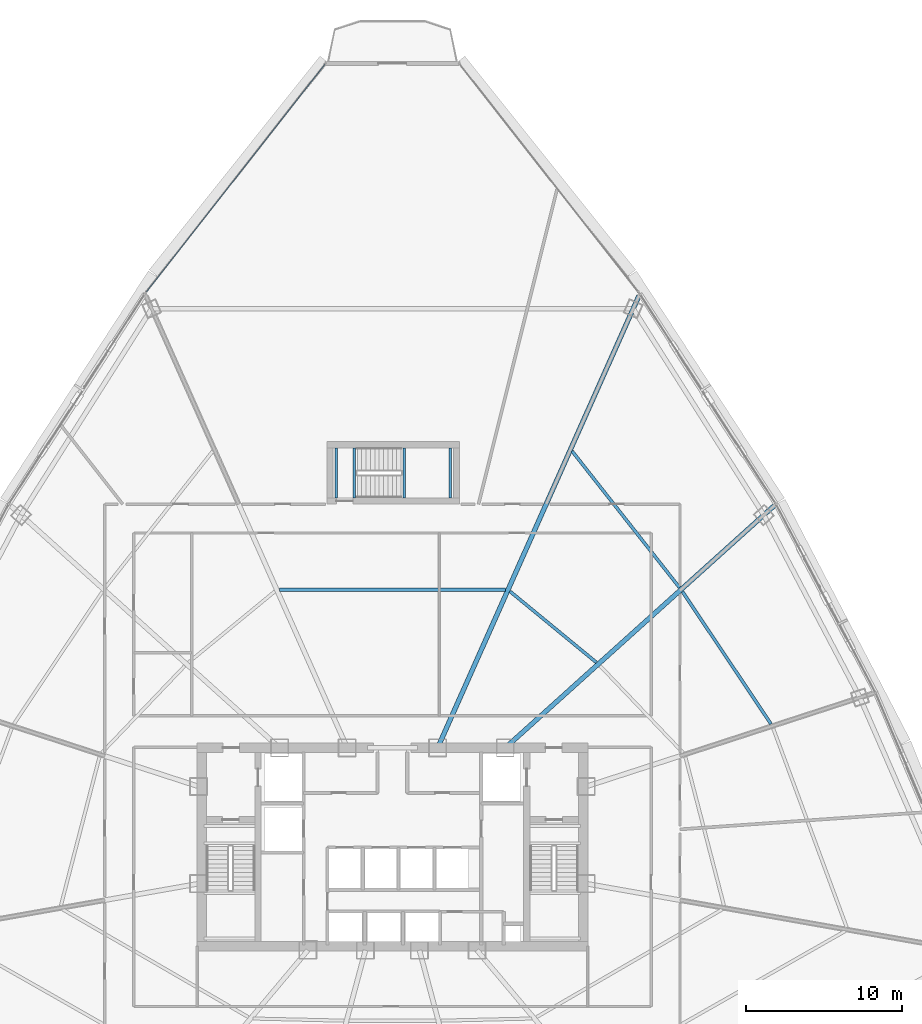
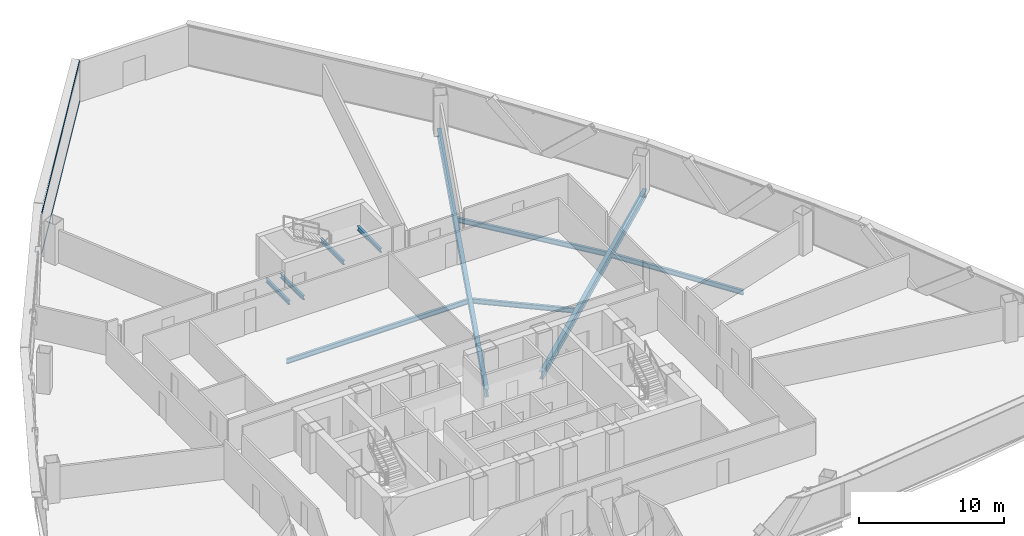
# One storey, part 19 of 39: 10 beams, 2 members, 1 element without a shape of its own.
"""IFC4 building model written with IfcOpenShell, lengths in metres."""

from ifc_helpers import new_model, si_unit, direction, frame, origin, origin_2d, place, context, subcontext, project, spatial, hollow_rectangle, i_section, extrude, source, transform, mapped, material, layer, layer_set, material_profile, profile_set, type_object, element, aggregate, save


model = new_model("IFC4")

# Units and contexts
model_context = context("Model", 3, precision=1e-05, world=origin(), true_north=direction((0.0, 1.0)))
body_context = subcontext(model_context, "Body", "Model", "MODEL_VIEW")
ifc_project = project(units=[si_unit("LENGTHUNIT", "METRE"), si_unit("AREAUNIT", "SQUARE_METRE"), si_unit("VOLUMEUNIT", "CUBIC_METRE"), si_unit("PLANEANGLEUNIT", "RADIAN"), si_unit("MASSUNIT", "GRAM", prefix="KILO"), si_unit("THERMODYNAMICTEMPERATUREUNIT", "KELVIN"), si_unit("POWERUNIT", "WATT")], contexts=[model_context])

# Site, building, storey
site_placement = place(None, origin())
site = spatial("IfcSite", under=ifc_project, at=site_placement, CompositionType="ELEMENT")
building_placement = place(site_placement, origin())
building = spatial("IfcBuilding", under=site, at=building_placement, Name="Yunzhuo Pagoda Commons", CompositionType="ELEMENT")
storey_placement = place(building_placement, frame((0.0, 0.0, 166.6298828125)))
storey = spatial("IfcBuildingStorey", under=building, at=storey_placement, Name="L42", CompositionType="ELEMENT", Elevation=166.6298828125)

# Beams
ifc_material_1 = material(Name="Structural steel Q355B", Category="steel")
ifc_material_profile_1 = material_profile(ifc_material_1, i_section(OverallWidth=0.175048828125, OverallDepth=0.35009765625, WebThickness=0.007080078125, FlangeThickness=0.010986328125, at=origin_2d()), Name="Structural steel Q355B")
ifc_profile_set_1 = profile_set([ifc_material_profile_1], Name="Structural steel Q355B")
beam_type_1 = type_object("IfcBeamType", Name="B-JS2 Joist HN 350x175x7x11", PredefinedType="JOIST", material=ifc_profile_set_1)
shared_shape_1 = source(origin(), body_context, "Body", "SweptSolid", [
    extrude(i_section(OverallWidth=0.175048828125, OverallDepth=0.35009765625, WebThickness=0.007080078125, FlangeThickness=0.010986328125, at=origin_2d()), origin(), (0.0, 0.0, 1.0), 3.199951171875),
])
for number, where, z_axis, x_axis, name in (
    (1, (48.75, 56.199951171875, 1.465087890625), (0.0, 1.0, 0.0), (-1.0, 0.0, 0.0), "L42 ST3 landing support beam 48A"),
    (2, (51.699951171875, 56.199951171875, 1.465087890625), (0.0, 1.0, 0.0), (-1.0, 0.0, 0.0), "L42 ST3 landing support beam 48B"),
    (3, (44.39990234375, 56.199951171875, -0.375), (0.0, 1.0, 0.0), (-1.0, 0.0, 0.0), "L42 ST3 landing support beam 116A"),
    (4, (45.550048828125, 56.199951171875, -0.375), (0.0, 1.0, 0.0), (-1.0, 0.0, 0.0), "L42 ST3 landing support beam 116B"),
):
    element("IfcBeam", number, at=place(storey_placement, frame(where, z_axis=z_axis, x_axis=x_axis)), inside=storey, type_object=beam_type_1, Name=name, PredefinedType="JOIST", context=body_context, shape_type="MappedRepresentation", body=[
        mapped(shared_shape_1, transform((0.0, 0.0, 0.0), scale=1.0)),
    ])
ifc_material_profile_2 = material_profile(ifc_material_1, i_section(OverallWidth=0.199951171875, OverallDepth=0.39990234375, WebThickness=0.008056640625, FlangeThickness=0.012939453125, at=origin_2d()), Name="Structural steel Q355B")
ifc_profile_set_2 = profile_set([ifc_material_profile_2], Name="Structural steel Q355B")
beam_type_2 = type_object("IfcBeamType", Name="B-JS1 Joist HN 400x200x8x13", PredefinedType="JOIST", material=ifc_profile_set_2)
shared_shape_2 = source(origin(), body_context, "Body", "SweptSolid", [
    extrude(i_section(OverallWidth=0.199951171875, OverallDepth=0.39990234375, WebThickness=0.008056640625, FlangeThickness=0.012939453125, at=origin_2d()), origin(), (0.0, 0.0, 1.0), 10.186767578125),
])
beam_1_placement = place(storey_placement, frame((72.221923828125, 41.731201171875, -0.4599609375), z_axis=(-0.555872145938, 0.831267801235, 0.0), x_axis=(-0.831267801235, -0.555872145938, 0.0)))
element("IfcBeam", 5, at=beam_1_placement, inside=storey, type_object=beam_type_2, Name="L42 composite ring joist 2.6", PredefinedType="JOIST", context=body_context, shape_type="MappedRepresentation", body=[
    mapped(shared_shape_2, transform((0.0, 0.0, 0.0), scale=1.0)),
])
shared_shape_3 = source(origin(), body_context, "Body", "SweptSolid", [
    extrude(i_section(OverallWidth=0.199951171875, OverallDepth=0.39990234375, WebThickness=0.008056640625, FlangeThickness=0.012939453125, at=origin_2d()), origin(), (0.0, 0.0, 1.0), 7.163818359375),
])
beam_2_placement = place(storey_placement, frame((61.05322265625, 45.664794921875, -0.4599609375), z_axis=(-0.772234119563, 0.635338071095, 0.0), x_axis=(-0.635338071095, -0.772234119563, 0.0)))
element("IfcBeam", 6, at=beam_2_placement, inside=storey, type_object=beam_type_2, Name="L42 composite ring joist 1.7", PredefinedType="JOIST", context=body_context, shape_type="MappedRepresentation", body=[
    mapped(shared_shape_3, transform((0.0, 0.0, 0.0), scale=1.0)),
])
shared_shape_4 = source(origin(), body_context, "Body", "SweptSolid", [
    extrude(i_section(OverallWidth=0.199951171875, OverallDepth=0.39990234375, WebThickness=0.008056640625, FlangeThickness=0.012939453125, at=origin_2d()), origin(), (0.0, 0.0, 1.0), 11.109375),
])
beam_3_placement = place(storey_placement, frame((66.372802734375, 50.456298828125, -0.4599609375), z_axis=(-0.618600596935, 0.785705607382, 0.0), x_axis=(-0.785705607382, -0.618600596935, 0.0)))
element("IfcBeam", 7, at=beam_3_placement, inside=storey, type_object=beam_type_2, Name="L42 composite ring joist 2.7", PredefinedType="JOIST", context=body_context, shape_type="MappedRepresentation", body=[
    mapped(shared_shape_4, transform((0.0, 0.0, 0.0), scale=1.0)),
])
shared_shape_5 = source(origin(), body_context, "Body", "SweptSolid", [
    extrude(i_section(OverallWidth=0.199951171875, OverallDepth=0.39990234375, WebThickness=0.008056640625, FlangeThickness=0.012939453125, at=origin_2d()), origin(), (0.0, 0.0, 1.0), 14.47900390625),
])
beam_4_placement = place(storey_placement, frame((55.239501953125, 50.317138671875, -0.4599609375), z_axis=(-1.0, 0.0, 0.0), x_axis=(0.0, -1.0, 0.0)))
element("IfcBeam", 8, at=beam_4_placement, inside=storey, type_object=beam_type_2, Name="L42 composite ring joist 1.8", PredefinedType="JOIST", context=body_context, shape_type="MappedRepresentation", body=[
    mapped(shared_shape_5, transform((0.0, 0.0, 0.0), scale=1.0)),
])
ifc_material_profile_3 = material_profile(ifc_material_1, i_section(OverallWidth=0.300048828125, OverallDepth=0.64990234375, WebThickness=0.012939453125, FlangeThickness=0.02197265625, at=origin_2d()), Name="Structural steel Q355B")
ifc_profile_set_3 = profile_set([ifc_material_profile_3], Name="Structural steel Q355B")
beam_type_3 = type_object("IfcBeamType", Name="B-RG2 Beam HN 650x300x13x22", PredefinedType="BEAM", material=ifc_profile_set_3)
shared_shape_6 = source(origin(), body_context, "Body", "SweptSolid", [
    extrude(i_section(OverallWidth=0.300048828125, OverallDepth=0.64990234375, WebThickness=0.012939453125, FlangeThickness=0.02197265625, at=origin_2d()), origin(), (0.0, 0.0, 1.0), 23.161376953125),
])
beam_5_placement = place(storey_placement, frame((72.43115234375, 55.697998046875, -0.5849609375), z_axis=(-0.743141604671, -0.669134183409, 0.0), x_axis=(0.669134183409, -0.743141604671, 0.0)))
element("IfcBeam", 9, at=beam_5_placement, inside=storey, type_object=beam_type_3, Name="L42 radial floor girder F2C3", PredefinedType="BEAM", context=body_context, shape_type="MappedRepresentation", body=[
    mapped(shared_shape_6, transform((0.0, 0.0, 0.0), scale=1.0)),
])
shared_shape_7 = source(origin(), body_context, "Body", "SweptSolid", [
    extrude(i_section(OverallWidth=0.300048828125, OverallDepth=0.64990234375, WebThickness=0.012939453125, FlangeThickness=0.02197265625, at=origin_2d()), origin(), (0.0, 0.0, 1.0), 31.6572265625),
])
beam_6_placement = place(storey_placement, frame((63.770263671875, 69.120361328125, -0.5849609375), z_axis=(-0.406737289237, -0.913545169953, 0.0), x_axis=(0.913545169953, -0.406737289237, 0.0)))
element("IfcBeam", 10, at=beam_6_placement, inside=storey, type_object=beam_type_3, Name="L42 radial floor girder F2C4", PredefinedType="BEAM", context=body_context, shape_type="MappedRepresentation", body=[
    mapped(shared_shape_7, transform((0.0, 0.0, 0.0), scale=1.0)),
])

# Curtain wall, members
ifc_material_2 = material(Name="Anodized aluminium 6063-T6", Category="aluminium")
ifc_layer = layer(ifc_material_2, 0.14990234375)
ifc_layer_set = layer_set([ifc_layer], Name="Anodized aluminium 6063-T6")
curtain_wall_type = type_object("IfcCurtainWallType", Name="CW-MID Mid-Zone Ribbon Curtain Wall", PredefinedType="NOTDEFINED", material=ifc_layer_set)
curtain_wall_placement = place(storey_placement, origin())
curtain_wall = element("IfcCurtainWall", 11, at=curtain_wall_placement, inside=storey, type_object=curtain_wall_type, Name="L42 curtain wall CW-L42-F3B1", PredefinedType="NOTDEFINED")
ifc_material_profile_4 = material_profile(ifc_material_2, hollow_rectangle(XDim=0.054931640625, YDim=0.1298828125, WallThickness=0.00341796875, at=origin_2d()), Name="Anodized aluminium 6063-T6")
ifc_profile_set_4 = profile_set([ifc_material_profile_4], Name="Anodized aluminium 6063-T6")
member_type = type_object("IfcMemberType", Name="CW-MID-T Transom RHS 130x55x3.5", PredefinedType="USERDEFINED", material=ifc_profile_set_4)
shared_shape_8 = source(origin(), body_context, "Body", "SweptSolid", [
    extrude(hollow_rectangle(XDim=0.054931640625, YDim=0.1298828125, WallThickness=0.00341796875, at=origin_2d()), origin(), (0.0, 0.0, 1.0), 18.532470703125),
])
member_1_placement = place(storey_placement, frame((43.687255859375, 83.95068359375, 0.027587890625), z_axis=(-0.617131299071, -0.786860190699, 0.0), x_axis=(0.786860190699, -0.617131299071, 0.0)))
member_1 = element("IfcMember", 12, at=member_1_placement, type_object=member_type, Name="CW transom 1.1", ObjectType="TRANSOM", PredefinedType="USERDEFINED", context=body_context, shape_type="MappedRepresentation", body=[
    mapped(shared_shape_8, transform((0.0, 0.0, 0.0), scale=1.0)),
])
member_2_placement = place(storey_placement, frame((43.687255859375, 83.95068359375, 3.392578125), z_axis=(-0.617131299071, -0.786860190699, 0.0), x_axis=(0.786860190699, -0.617131299071, 0.0)))
member_2 = element("IfcMember", 13, at=member_2_placement, type_object=member_type, Name="CW transom 1.2", ObjectType="TRANSOM", PredefinedType="USERDEFINED", context=body_context, shape_type="MappedRepresentation", body=[
    mapped(shared_shape_8, transform((0.0, 0.0, 0.0), scale=1.0)),
])
aggregate(curtain_wall, [member_1, member_2])

save(model, "model.ifc")
